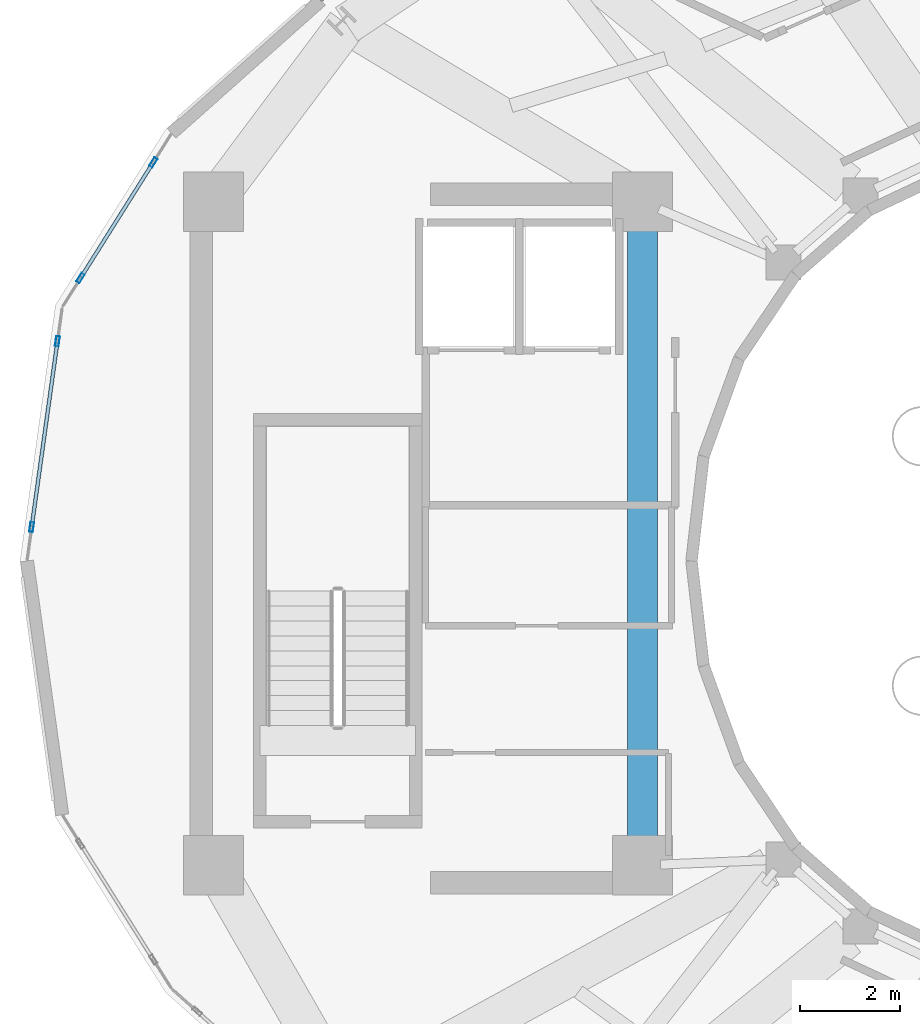
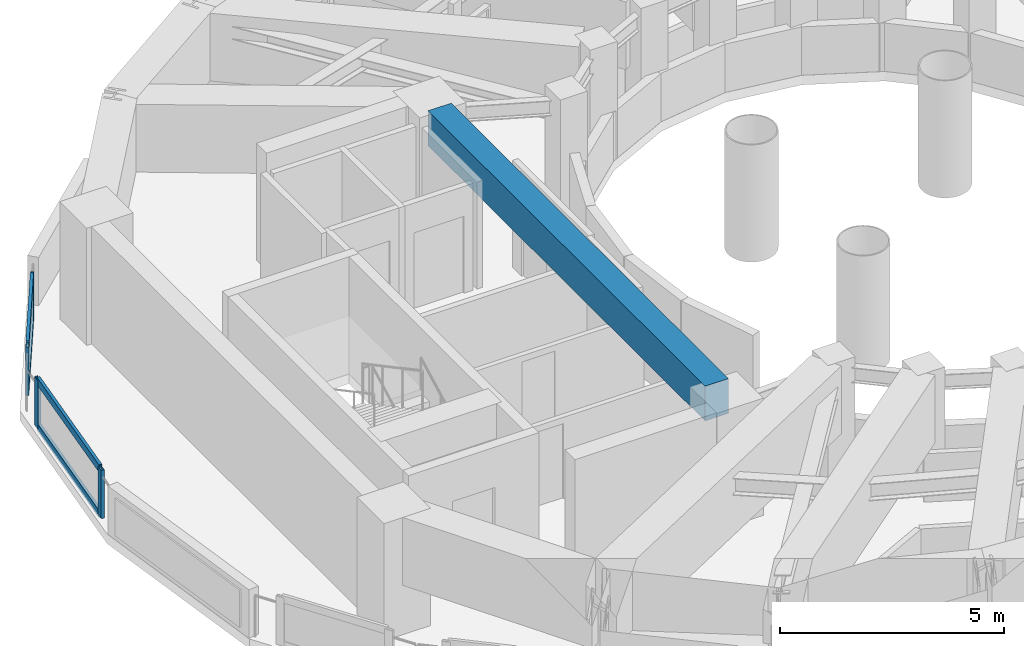
# One storey, part 6 of 17: 8 members, 1 beam, 2 elements without a shape of their own.
"""IFC4 building model written with IfcOpenShell, lengths in metres."""

from ifc_helpers import new_model, si_unit, direction, frame, origin, origin_2d, place, context, subcontext, project, spatial, rectangle, hollow_rectangle, extrude, material, layer, layer_set, material_profile, profile_set, type_object, element, aggregate, save


model = new_model("IFC4")

# Units and contexts
model_context = context("Model", 3, precision=1e-05, world=origin(), true_north=direction((0.0, 1.0)))
body_context = subcontext(model_context, "Body", "Model", "MODEL_VIEW")
ifc_project = project(units=[si_unit("LENGTHUNIT", "METRE"), si_unit("AREAUNIT", "SQUARE_METRE"), si_unit("VOLUMEUNIT", "CUBIC_METRE"), si_unit("PLANEANGLEUNIT", "RADIAN"), si_unit("MASSUNIT", "GRAM", prefix="KILO")], contexts=[model_context])

# Site, building, storey
site_placement = place(None, origin())
site = spatial("IfcSite", under=ifc_project, at=site_placement, CompositionType="ELEMENT")
building_placement = place(site_placement, origin())
building = spatial("IfcBuilding", under=site, at=building_placement, Name="Solvane Sanctuary Tower", CompositionType="ELEMENT")
storey_placement = place(building_placement, frame((0.0, 0.0, 270.0)))
storey = spatial("IfcBuildingStorey", under=building, at=storey_placement, Name="L82", CompositionType="ELEMENT", Elevation=270.0)

# Beam
ifc_material_1 = material(Name="Concrete C70/85", Category="concrete")
ifc_material_profile_1 = material_profile(ifc_material_1, rectangle(XDim=0.60009765625, YDim=0.949951171875, at=origin_2d()), Name="RC600X950")
ifc_profile_set_1 = profile_set([ifc_material_profile_1], Name="Concrete C70/85")
beam_type = type_object("IfcBeamType", Name="Beam B-COUPLE RC600X950", PredefinedType="LINTEL", material=ifc_profile_set_1)
beam_placement = place(storey_placement, frame((23.89990234375, 17.35009765625, 2.72509765625), z_axis=(0.0, 1.0, 0.0), x_axis=(-1.0, 0.0, 0.0)))
element("IfcBeam", 1, at=beam_placement, inside=storey, type_object=beam_type, Name="L82 West Core Coupling Lintel", PredefinedType="LINTEL", context=body_context, shape_type="SweptSolid", body=[
    extrude(rectangle(XDim=0.60009765625, YDim=0.949951171875, at=origin_2d()), origin(), (0.0, 0.0, 1.0), 12.39990234375),
])

# Curtain wall, members
ifc_material_2 = material(Name="Anodised Aluminium 6063-T6", Category="aluminium")
ifc_layer = layer(ifc_material_2, 0.219970703125, Name="Anodised Aluminium 6063-T6")
ifc_layer_set = layer_set([ifc_layer], Name="Anodised Aluminium 6063-T6")
curtain_wall_type = type_object("IfcCurtainWallType", Name="Curtain Wall CW-CROWN", PredefinedType="NOTDEFINED", material=ifc_layer_set)
curtain_wall_1_placement = place(storey_placement, origin())
curtain_wall_1 = element("IfcCurtainWall", 2, at=curtain_wall_1_placement, inside=storey, type_object=curtain_wall_type, Name="L82 Crown Fritted Lantern Curtain Wall 10", PredefinedType="NOTDEFINED")
ifc_material_profile_2 = material_profile(ifc_material_2, hollow_rectangle(XDim=0.074951171875, YDim=0.199951171875, WallThickness=0.00390625, at=origin_2d()), Name="ALU200X75X4")
ifc_profile_set_2 = profile_set([ifc_material_profile_2], Name="Anodised Aluminium 6063-T6")
member_type_1 = type_object("IfcMemberType", Name="Member M-CW-MUL-1 ALU200X75X4", PredefinedType="MULLION", material=ifc_profile_set_2)
member_1_placement = place(storey_placement, frame((14.091796875, 30.990234375, 0.0), z_axis=(0.0, 0.0, 1.0), x_axis=(0.84660365243, -0.532223877416, 0.0)))
member_1 = element("IfcMember", 3, at=member_1_placement, type_object=member_type_1, Name="CW-CROWN mullion 1", PredefinedType="MULLION", context=body_context, shape_type="SweptSolid", body=[
    extrude(hollow_rectangle(XDim=0.074951171875, YDim=0.199951171875, WallThickness=0.00390625, at=origin_2d()), origin(), (0.0, 0.0, 1.0), 1.320068359375),
])
member_2_placement = place(storey_placement, frame((12.632080078125, 28.66845703125, 0.0), z_axis=(0.0, 0.0, 1.0), x_axis=(0.84660365243, -0.532223877416, 0.0)))
member_2 = element("IfcMember", 4, at=member_2_placement, type_object=member_type_1, Name="CW-CROWN mullion 2", PredefinedType="MULLION", context=body_context, shape_type="SweptSolid", body=[
    extrude(hollow_rectangle(XDim=0.074951171875, YDim=0.199951171875, WallThickness=0.00390625, at=origin_2d()), origin(), (0.0, 0.0, 1.0), 1.320068359375),
])

curtain_wall_2_placement = place(storey_placement, origin())
curtain_wall_2 = element("IfcCurtainWall", 5, at=curtain_wall_2_placement, inside=storey, type_object=curtain_wall_type, Name="L82 Crown Fritted Lantern Curtain Wall 11", PredefinedType="NOTDEFINED")
member_3_placement = place(storey_placement, frame((12.171630859375, 27.405517578125, 0.0), z_axis=(0.0, 0.0, 1.0), x_axis=(0.990499772181, -0.13751436765, 0.0)))
member_3 = element("IfcMember", 6, at=member_3_placement, type_object=member_type_1, Name="CW-CROWN mullion 1", PredefinedType="MULLION", context=body_context, shape_type="SweptSolid", body=[
    extrude(hollow_rectangle(XDim=0.074951171875, YDim=0.199951171875, WallThickness=0.00390625, at=origin_2d()), origin(), (0.0, 0.0, 1.0), 1.320068359375),
])
member_4_placement = place(storey_placement, frame((11.654541015625, 23.680908203125, 0.0), z_axis=(0.0, 0.0, 1.0), x_axis=(0.990499772181, -0.13751436765, 0.0)))
member_4 = element("IfcMember", 7, at=member_4_placement, type_object=member_type_1, Name="CW-CROWN mullion 2", PredefinedType="MULLION", context=body_context, shape_type="SweptSolid", body=[
    extrude(hollow_rectangle(XDim=0.074951171875, YDim=0.199951171875, WallThickness=0.00390625, at=origin_2d()), origin(), (0.0, 0.0, 1.0), 1.320068359375),
])

# Member
ifc_material_profile_3 = material_profile(ifc_material_2, hollow_rectangle(XDim=0.074951171875, YDim=0.199951171875, WallThickness=0.00390625, at=origin_2d()), Name="ALU200X75X4")
ifc_profile_set_3 = profile_set([ifc_material_profile_3], Name="Anodised Aluminium 6063-T6")
member_type_2 = type_object("IfcMemberType", Name="Member M-CW-TRN-2 ALU200X75X4", PredefinedType="USERDEFINED", material=ifc_profile_set_3)
member_5_placement = place(storey_placement, frame((14.07177734375, 30.95849609375, 0.03759765625), z_axis=(-0.532218404821, -0.846607092794, 0.0), x_axis=(0.846607092794, -0.532218404821, 0.0)))
member_5 = element("IfcMember", 8, at=member_5_placement, type_object=member_type_2, Name="CW-CROWN transom 1.1", ObjectType="TRANSOM", PredefinedType="USERDEFINED", context=body_context, shape_type="SweptSolid", body=[
    extrude(hollow_rectangle(XDim=0.074951171875, YDim=0.199951171875, WallThickness=0.00390625, at=origin_2d()), origin(), (0.0, 0.0, 1.0), 2.66748046875),
])

member_6_placement = place(storey_placement, frame((14.07177734375, 30.95849609375, 1.282470703125), z_axis=(-0.532218404821, -0.846607092794, 0.0), x_axis=(0.846607092794, -0.532218404821, 0.0)))
member_6 = element("IfcMember", 9, at=member_6_placement, type_object=member_type_2, Name="CW-CROWN transom 1.2", ObjectType="TRANSOM", PredefinedType="USERDEFINED", context=body_context, shape_type="SweptSolid", body=[
    extrude(hollow_rectangle(XDim=0.074951171875, YDim=0.199951171875, WallThickness=0.00390625, at=origin_2d()), origin(), (0.0, 0.0, 1.0), 2.66748046875),
])

aggregate(curtain_wall_1, [member_1, member_2, member_5, member_6])

member_7_placement = place(storey_placement, frame((12.16650390625, 27.368408203125, 0.03759765625), z_axis=(-0.13752504347, -0.990498289962, 0.0), x_axis=(0.990498289962, -0.13752504347, 0.0)))
member_7 = element("IfcMember", 10, at=member_7_placement, type_object=member_type_2, Name="CW-CROWN transom 1.1", ObjectType="TRANSOM", PredefinedType="USERDEFINED", context=body_context, shape_type="SweptSolid", body=[
    extrude(hollow_rectangle(XDim=0.074951171875, YDim=0.199951171875, WallThickness=0.00390625, at=origin_2d()), origin(), (0.0, 0.0, 1.0), 3.685302734375),
])

member_8_placement = place(storey_placement, frame((12.16650390625, 27.368408203125, 1.282470703125), z_axis=(-0.13752504347, -0.990498289962, 0.0), x_axis=(0.990498289962, -0.13752504347, 0.0)))
member_8 = element("IfcMember", 11, at=member_8_placement, type_object=member_type_2, Name="CW-CROWN transom 1.2", ObjectType="TRANSOM", PredefinedType="USERDEFINED", context=body_context, shape_type="SweptSolid", body=[
    extrude(hollow_rectangle(XDim=0.074951171875, YDim=0.199951171875, WallThickness=0.00390625, at=origin_2d()), origin(), (0.0, 0.0, 1.0), 3.685302734375),
])

aggregate(curtain_wall_2, [member_3, member_4, member_7, member_8])

save(model, "model.ifc")
